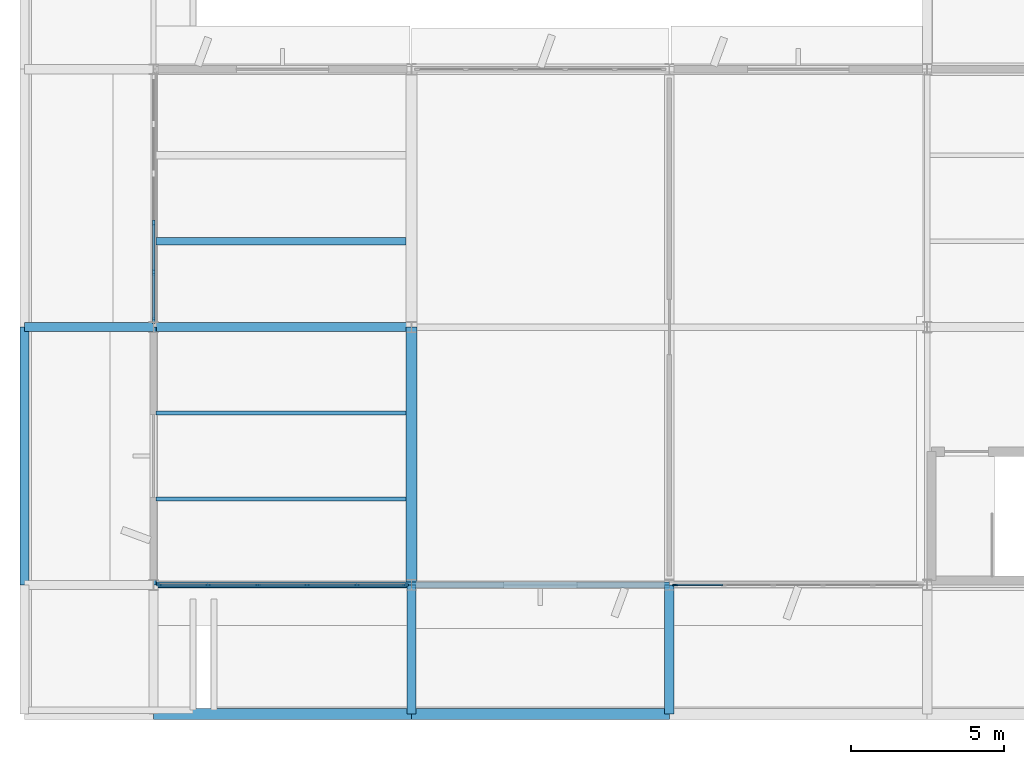
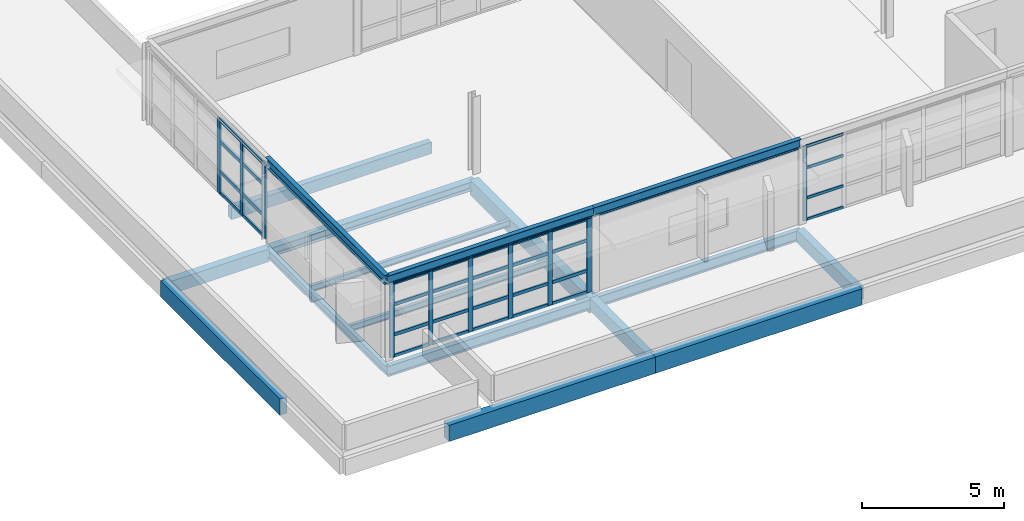
# One storey, part 4 of 92: 42 members, 17 beams, 3 elements without a shape of their own.
"""IFC4 building model written with IfcOpenShell, lengths in metres."""

from ifc_helpers import new_model, si_unit, direction, frame, origin, origin_2d, place, context, subcontext, project, spatial, rectangle, i_section, extrude, material, material_profile, profile_set, type_object, element, aggregate, save


model = new_model("IFC4")

# Units and contexts
model_context = context("Model", 3, precision=1e-05, world=origin(), true_north=direction((0.0, 1.0)))
body_context = subcontext(model_context, "Body", "Model", "MODEL_VIEW")
ifc_project = project(units=[si_unit("LENGTHUNIT", "METRE"), si_unit("AREAUNIT", "SQUARE_METRE"), si_unit("VOLUMEUNIT", "CUBIC_METRE"), si_unit("PLANEANGLEUNIT", "RADIAN"), si_unit("MASSUNIT", "GRAM", prefix="KILO")], contexts=[model_context])

# Site, building, storey
site_placement = place(None, origin())
site = spatial("IfcSite", under=ifc_project, at=site_placement, CompositionType="ELEMENT")
building_placement = place(site_placement, origin())
building = spatial("IfcBuilding", under=site, at=building_placement, Name="Vanh Quang Courtyard School", CompositionType="ELEMENT")
storey_placement = place(building_placement, frame((0.0, 0.0, 7.800048828125)))
storey = spatial("IfcBuildingStorey", under=building, at=storey_placement, Name="L02", CompositionType="ELEMENT", Elevation=7.800048828125)

# Beams
ifc_material_1 = material(Name="Concrete C35/45", Category="concrete")
ifc_material_profile_1 = material_profile(ifc_material_1, rectangle(XDim=0.300048828125, YDim=0.550048828125, at=origin_2d()), Name="RC-BM 300x550")
ifc_profile_set_1 = profile_set([ifc_material_profile_1], Name="Concrete C35/45")
beam_type_1 = type_object("IfcBeamType", Name="BM-RC-300x550", PredefinedType="BEAM", material=ifc_profile_set_1)
for number, where, z_axis, x_axis, name in (
    (1, (0.0, 12.60009765625, -0.554931640625), (1.0, 0.0, 0.0), (0.0, 1.0, 0.0), "Beam B-07 (L02)"),
    (2, (12.60009765625, 0.0, -0.554931640625), (0.0, 1.0, 0.0), (-1.0, 0.0, 0.0), "Beam B-07 (L02)"),
    (3, (21.0, 0.0, -0.554931640625), (0.0, 1.0, 0.0), (-1.0, 0.0, 0.0), "Beam B-07 (L02)"),
):
    element("IfcBeam", number, at=place(storey_placement, frame(where, z_axis=z_axis, x_axis=x_axis)), inside=storey, type_object=beam_type_1, Name=name, PredefinedType="BEAM", context=body_context, shape_type="SweptSolid", body=[
        extrude(rectangle(XDim=0.300048828125, YDim=0.550048828125, at=origin_2d()), origin(), (0.0, 0.0, 1.0), 4.199951171875),
    ])
ifc_material_profile_2 = material_profile(ifc_material_1, rectangle(XDim=0.35009765625, YDim=0.64990234375, at=origin_2d()), Name="RC-BM 350x650")
ifc_profile_set_2 = profile_set([ifc_material_profile_2], Name="Concrete C35/45")
beam_type_2 = type_object("IfcBeamType", Name="BM-RC-350x650", PredefinedType="BEAM", material=ifc_profile_set_2)
beam_1_placement = place(storey_placement, frame((12.60009765625, 4.199951171875, -0.60498046875), z_axis=(0.0, 1.0, 0.0), x_axis=(-1.0, 0.0, 0.0)))
element("IfcBeam", 4, at=beam_1_placement, inside=storey, type_object=beam_type_2, Name="Beam B-05 (L02)", PredefinedType="BEAM", context=body_context, shape_type="SweptSolid", body=[
    extrude(rectangle(XDim=0.35009765625, YDim=0.64990234375, at=origin_2d()), origin(), (0.0, 0.0, 1.0), 8.400146484375),
])
ifc_material_profile_3 = material_profile(ifc_material_1, rectangle(XDim=0.35009765625, YDim=0.699951171875, at=origin_2d()), Name="RC-BM 350x700")
ifc_profile_set_3 = profile_set([ifc_material_profile_3], Name="Concrete C35/45")
beam_type_3 = type_object("IfcBeamType", Name="BM-RC-350x700", PredefinedType="BEAM", material=ifc_profile_set_3)
beam_2_placement = place(storey_placement, frame((4.199951171875, 0.0, -0.570068359375), z_axis=(1.0, 0.0, 0.0), x_axis=(0.0, 1.0, 0.0)))
element("IfcBeam", 5, at=beam_2_placement, inside=storey, type_object=beam_type_3, Name="Beam B-04 (L02)", PredefinedType="BEAM", context=body_context, shape_type="SweptSolid", body=[
    extrude(rectangle(XDim=0.35009765625, YDim=0.699951171875, at=origin_2d()), origin(), (0.0, 0.0, 1.0), 8.400146484375),
])
beam_3_placement = place(storey_placement, frame((12.60009765625, 0.0, -0.570068359375), z_axis=(1.0, 0.0, 0.0), x_axis=(0.0, 1.0, 0.0)))
element("IfcBeam", 6, at=beam_3_placement, inside=storey, type_object=beam_type_3, Name="Beam B-04 (L02)", PredefinedType="BEAM", context=body_context, shape_type="SweptSolid", body=[
    extrude(rectangle(XDim=0.35009765625, YDim=0.699951171875, at=origin_2d()), origin(), (0.0, 0.0, 1.0), 8.39990234375),
])
ifc_material_profile_4 = material_profile(ifc_material_1, rectangle(XDim=0.300048828125, YDim=0.699951171875, at=origin_2d()), Name="RC-SP 300x700")
ifc_profile_set_4 = profile_set([ifc_material_profile_4], Name="Concrete C35/45")
beam_type_4 = type_object("IfcBeamType", Name="BM-SP-300x700", PredefinedType="SPANDREL", material=ifc_profile_set_4)
beam_4_placement = place(storey_placement, frame((0.0, 4.199951171875, -0.570068359375), z_axis=(0.0, 1.0, 0.0), x_axis=(-1.0, 0.0, 0.0)))
element("IfcBeam", 7, at=beam_4_placement, inside=storey, type_object=beam_type_4, Name="Beam BS-01 (L02)", PredefinedType="SPANDREL", context=body_context, shape_type="SweptSolid", body=[
    extrude(rectangle(XDim=0.300048828125, YDim=0.699951171875, at=origin_2d()), origin(), (0.0, 0.0, 1.0), 8.400146484375),
])
ifc_material_2 = material(Name="Structural steel EN 10025-2 S355J2", Category="steel")
ifc_material_profile_5 = material_profile(ifc_material_2, i_section(OverallWidth=0.300048828125, OverallDepth=0.389892578125, WebThickness=0.010986328125, FlangeThickness=0.01904296875, FilletRadius=0.027099609375, at=origin_2d()), Name="HEA 400")
ifc_profile_set_5 = profile_set([ifc_material_profile_5], Name="Structural steel EN 10025-2 S355J2")
beam_type_5 = type_object("IfcBeamType", Name="BM-STL-HEA400", PredefinedType="BEAM", material=ifc_profile_set_5)
beam_5_placement = place(storey_placement, frame((4.199951171875, 12.60009765625, -0.47509765625), z_axis=(1.0, 0.0, 0.0), x_axis=(0.0, 1.0, 0.0)))
element("IfcBeam", 8, at=beam_5_placement, inside=storey, type_object=beam_type_5, Name="Beam SB-08 (L02)", PredefinedType="BEAM", context=body_context, shape_type="SweptSolid", body=[
    extrude(i_section(OverallWidth=0.300048828125, OverallDepth=0.389892578125, WebThickness=0.010986328125, FlangeThickness=0.01904296875, FilletRadius=0.027099609375, at=origin_2d()), origin(), (0.0, 0.0, 1.0), 8.400146484375),
])
ifc_material_profile_6 = material_profile(ifc_material_2, i_section(OverallWidth=0.169921875, OverallDepth=0.360107421875, WebThickness=0.008056640625, FlangeThickness=0.0126953125, FilletRadius=0.01806640625, at=origin_2d()), Name="IPE 360")
ifc_profile_set_6 = profile_set([ifc_material_profile_6], Name="Structural steel EN 10025-2 S355J2")
beam_type_6 = type_object("IfcBeamType", Name="BM-STL-IPE360", PredefinedType="BEAM", material=ifc_profile_set_6)
beam_6_placement = place(storey_placement, frame((4.199951171875, 4.199951171875, -0.4599609375), z_axis=(0.0, 1.0, 0.0), x_axis=(-1.0, 0.0, 0.0)))
element("IfcBeam", 9, at=beam_6_placement, inside=storey, type_object=beam_type_6, Name="Beam SB-06 (L02)", PredefinedType="BEAM", context=body_context, shape_type="SweptSolid", body=[
    extrude(i_section(OverallWidth=0.169921875, OverallDepth=0.360107421875, WebThickness=0.008056640625, FlangeThickness=0.0126953125, FilletRadius=0.01806640625, at=origin_2d()), origin(), (0.0, 0.0, 1.0), 8.400146484375),
])
ifc_material_profile_7 = material_profile(ifc_material_2, i_section(OverallWidth=0.179931640625, OverallDepth=0.39990234375, WebThickness=0.008544921875, FlangeThickness=0.013427734375, FilletRadius=0.02099609375, at=origin_2d()), Name="IPE 400")
ifc_profile_set_7 = profile_set([ifc_material_profile_7], Name="Structural steel EN 10025-2 S355J2")
beam_type_7 = type_object("IfcBeamType", Name="BM-STL-IPE400", PredefinedType="BEAM", material=ifc_profile_set_7)
beam_7_placement = place(storey_placement, frame((4.199951171875, 4.199951171875, 3.39990234375), z_axis=(1.0, 0.0, 0.0), x_axis=(0.0, 1.0, 0.0)))
element("IfcBeam", 10, at=beam_7_placement, inside=storey, type_object=beam_type_7, Name="Beam SB-05 (L02)", PredefinedType="BEAM", context=body_context, shape_type="SweptSolid", body=[
    extrude(i_section(OverallWidth=0.179931640625, OverallDepth=0.39990234375, WebThickness=0.008544921875, FlangeThickness=0.013427734375, FilletRadius=0.02099609375, at=origin_2d()), origin(), (0.0, 0.0, 1.0), 8.400146484375),
])
beam_8_placement = place(storey_placement, frame((12.60009765625, 4.199951171875, 3.39990234375), z_axis=(1.0, 0.0, 0.0), x_axis=(0.0, 1.0, 0.0)))
element("IfcBeam", 11, at=beam_8_placement, inside=storey, type_object=beam_type_7, Name="Beam SB-05 (L02)", PredefinedType="BEAM", context=body_context, shape_type="SweptSolid", body=[
    extrude(i_section(OverallWidth=0.179931640625, OverallDepth=0.39990234375, WebThickness=0.008544921875, FlangeThickness=0.013427734375, FilletRadius=0.02099609375, at=origin_2d()), origin(), (0.0, 0.0, 1.0), 8.39990234375),
])
beam_9_placement = place(storey_placement, frame((4.199951171875, 4.199951171875, 3.39990234375), z_axis=(0.0, 1.0, 0.0), x_axis=(-1.0, 0.0, 0.0)))
element("IfcBeam", 12, at=beam_9_placement, inside=storey, type_object=beam_type_7, Name="Beam SB-05 (L02)", PredefinedType="BEAM", context=body_context, shape_type="SweptSolid", body=[
    extrude(i_section(OverallWidth=0.179931640625, OverallDepth=0.39990234375, WebThickness=0.008544921875, FlangeThickness=0.013427734375, FilletRadius=0.02099609375, at=origin_2d()), origin(), (0.0, 0.0, 1.0), 8.400146484375),
])
ifc_material_profile_8 = material_profile(ifc_material_2, i_section(OverallWidth=0.18994140625, OverallDepth=0.449951171875, WebThickness=0.009521484375, FlangeThickness=0.0146484375, FilletRadius=0.02099609375, at=origin_2d()), Name="IPE 450")
ifc_profile_set_8 = profile_set([ifc_material_profile_8], Name="Structural steel EN 10025-2 S355J2")
beam_type_8 = type_object("IfcBeamType", Name="BM-STL-IPE450", PredefinedType="BEAM", material=ifc_profile_set_8)
beam_10_placement = place(storey_placement, frame((4.199951171875, 4.199951171875, -0.505126953125), z_axis=(1.0, 0.0, 0.0), x_axis=(0.0, 1.0, 0.0)))
element("IfcBeam", 13, at=beam_10_placement, inside=storey, type_object=beam_type_8, Name="Beam SB-04 (L02)", PredefinedType="BEAM", context=body_context, shape_type="SweptSolid", body=[
    extrude(i_section(OverallWidth=0.18994140625, OverallDepth=0.449951171875, WebThickness=0.009521484375, FlangeThickness=0.0146484375, FilletRadius=0.02099609375, at=origin_2d()), origin(), (0.0, 0.0, 1.0), 8.400146484375),
])
beam_11_placement = place(storey_placement, frame((12.60009765625, 4.199951171875, -0.505126953125), z_axis=(1.0, 0.0, 0.0), x_axis=(0.0, 1.0, 0.0)))
element("IfcBeam", 14, at=beam_11_placement, inside=storey, type_object=beam_type_8, Name="Beam SB-04 (L02)", PredefinedType="BEAM", context=body_context, shape_type="SweptSolid", body=[
    extrude(i_section(OverallWidth=0.18994140625, OverallDepth=0.449951171875, WebThickness=0.009521484375, FlangeThickness=0.0146484375, FilletRadius=0.02099609375, at=origin_2d()), origin(), (0.0, 0.0, 1.0), 8.39990234375),
])

# Curtain wall, member
ifc_material_3 = material(Name="Thermally broken aluminium unitised curtain wall", Category="aluminium")
curtain_wall_type = type_object("IfcCurtainWallType", Name="CW-SYS-46", PredefinedType="NOTDEFINED", material=ifc_material_3)
curtain_wall_1_placement = place(storey_placement, origin())
curtain_wall_1 = element("IfcCurtainWall", 15, at=curtain_wall_1_placement, inside=storey, type_object=curtain_wall_type, Name="Curtain Wall CW-46 (L02)", PredefinedType="NOTDEFINED")
ifc_material_4 = material(Name="Anodised aluminium 6063-T6", Category="aluminium")
ifc_material_profile_9 = material_profile(ifc_material_4, rectangle(XDim=0.06005859375, YDim=0.159912109375, at=origin_2d()), Name="ALU-MUL 60x160")
ifc_profile_set_9 = profile_set([ifc_material_profile_9], Name="Anodised aluminium 6063-T6")
member_type_1 = type_object("IfcMemberType", Name="CW-MUL-60x160", PredefinedType="MULLION", material=ifc_profile_set_9)
member_1_placement = place(storey_placement, frame((21.18798828125, 4.199951171875, 0.0), z_axis=(0.0, 0.0, 1.0), x_axis=(0.0, -1.0, 0.0)))
member_1 = element("IfcMember", 16, at=member_1_placement, type_object=member_type_1, Name="CW-46 mullion 6", PredefinedType="MULLION", context=body_context, shape_type="SweptSolid", body=[
    extrude(rectangle(XDim=0.06005859375, YDim=0.159912109375, at=origin_2d()), origin(), (0.0, 0.0, 1.0), 3.199951171875),
])

# Curtain wall, members
curtain_wall_2_placement = place(storey_placement, origin())
curtain_wall_2 = element("IfcCurtainWall", 17, at=curtain_wall_2_placement, inside=storey, type_object=curtain_wall_type, Name="Curtain Wall CW-46 (L02)", PredefinedType="NOTDEFINED")
ifc_material_profile_10 = material_profile(ifc_material_4, rectangle(XDim=0.070068359375, YDim=0.179931640625, at=origin_2d()), Name="ALU-MUL 70x180")
ifc_profile_set_10 = profile_set([ifc_material_profile_10], Name="Anodised aluminium 6063-T6")
member_type_2 = type_object("IfcMemberType", Name="CW-MUL-70x180", PredefinedType="MULLION", material=ifc_profile_set_10)
member_2_placement = place(storey_placement, frame((12.406982421875, 4.199951171875, 0.0), z_axis=(0.0, 0.0, 1.0), x_axis=(0.0, -1.0, 0.0)))
member_2 = element("IfcMember", 18, at=member_2_placement, type_object=member_type_2, Name="CW-46 mullion 1", PredefinedType="MULLION", context=body_context, shape_type="SweptSolid", body=[
    extrude(rectangle(XDim=0.070068359375, YDim=0.179931640625, at=origin_2d()), origin(), (0.0, 0.0, 1.0), 3.199951171875),
])
member_3_placement = place(storey_placement, frame((10.8251953125, 4.199951171875, 0.0), z_axis=(0.0, 0.0, 1.0), x_axis=(0.0, -1.0, 0.0)))
member_3 = element("IfcMember", 19, at=member_3_placement, type_object=member_type_2, Name="CW-46 mullion 2", PredefinedType="MULLION", context=body_context, shape_type="SweptSolid", body=[
    extrude(rectangle(XDim=0.070068359375, YDim=0.179931640625, at=origin_2d()), origin(), (0.0, 0.0, 1.0), 3.199951171875),
])
member_4_placement = place(storey_placement, frame((9.20849609375, 4.199951171875, 0.0), z_axis=(0.0, 0.0, 1.0), x_axis=(0.0, -1.0, 0.0)))
member_4 = element("IfcMember", 20, at=member_4_placement, type_object=member_type_2, Name="CW-46 mullion 3", PredefinedType="MULLION", context=body_context, shape_type="SweptSolid", body=[
    extrude(rectangle(XDim=0.070068359375, YDim=0.179931640625, at=origin_2d()), origin(), (0.0, 0.0, 1.0), 3.199951171875),
])
member_5_placement = place(storey_placement, frame((7.591552734375, 4.199951171875, 0.0), z_axis=(0.0, 0.0, 1.0), x_axis=(0.0, -1.0, 0.0)))
member_5 = element("IfcMember", 21, at=member_5_placement, type_object=member_type_2, Name="CW-46 mullion 4", PredefinedType="MULLION", context=body_context, shape_type="SweptSolid", body=[
    extrude(rectangle(XDim=0.070068359375, YDim=0.179931640625, at=origin_2d()), origin(), (0.0, 0.0, 1.0), 3.199951171875),
])
member_6_placement = place(storey_placement, frame((5.974853515625, 4.199951171875, 0.0), z_axis=(0.0, 0.0, 1.0), x_axis=(0.0, -1.0, 0.0)))
member_6 = element("IfcMember", 22, at=member_6_placement, type_object=member_type_2, Name="CW-46 mullion 5", PredefinedType="MULLION", context=body_context, shape_type="SweptSolid", body=[
    extrude(rectangle(XDim=0.070068359375, YDim=0.179931640625, at=origin_2d()), origin(), (0.0, 0.0, 1.0), 3.199951171875),
])
member_7_placement = place(storey_placement, frame((4.39306640625, 4.199951171875, 0.0), z_axis=(0.0, 0.0, 1.0), x_axis=(0.0, -1.0, 0.0)))
member_7 = element("IfcMember", 23, at=member_7_placement, type_object=member_type_2, Name="CW-46 mullion 6", PredefinedType="MULLION", context=body_context, shape_type="SweptSolid", body=[
    extrude(rectangle(XDim=0.070068359375, YDim=0.179931640625, at=origin_2d()), origin(), (0.0, 0.0, 1.0), 3.199951171875),
])

curtain_wall_3_placement = place(storey_placement, origin())
curtain_wall_3 = element("IfcCurtainWall", 24, at=curtain_wall_3_placement, inside=storey, type_object=curtain_wall_type, Name="Curtain Wall CW-46 (L02)", PredefinedType="NOTDEFINED")
ifc_material_profile_11 = material_profile(ifc_material_4, rectangle(XDim=0.080078125, YDim=0.199951171875, at=origin_2d()), Name="ALU-MUL 80x200")
ifc_profile_set_11 = profile_set([ifc_material_profile_11], Name="Anodised aluminium 6063-T6")
member_type_3 = type_object("IfcMemberType", Name="CW-MUL-80x200", PredefinedType="MULLION", material=ifc_profile_set_11)
member_8_placement = place(storey_placement, frame((4.199951171875, 12.81298828125, 0.0), z_axis=(0.0, 0.0, 1.0), x_axis=(-1.0, 0.0, 0.0)))
member_8 = element("IfcMember", 25, at=member_8_placement, type_object=member_type_3, Name="CW-46 mullion 1", PredefinedType="MULLION", context=body_context, shape_type="SweptSolid", body=[
    extrude(rectangle(XDim=0.080078125, YDim=0.199951171875, at=origin_2d()), origin(), (0.0, 0.0, 1.0), 3.199951171875),
])
member_9_placement = place(storey_placement, frame((4.199951171875, 14.3837890625, 0.0), z_axis=(0.0, 0.0, 1.0), x_axis=(-1.0, 0.0, 0.0)))
member_9 = element("IfcMember", 26, at=member_9_placement, type_object=member_type_3, Name="CW-46 mullion 2", PredefinedType="MULLION", context=body_context, shape_type="SweptSolid", body=[
    extrude(rectangle(XDim=0.080078125, YDim=0.199951171875, at=origin_2d()), origin(), (0.0, 0.0, 1.0), 3.199951171875),
])
member_10_placement = place(storey_placement, frame((4.199951171875, 15.99462890625, 0.0), z_axis=(0.0, 0.0, 1.0), x_axis=(-1.0, 0.0, 0.0)))
member_10 = element("IfcMember", 27, at=member_10_placement, type_object=member_type_3, Name="CW-46 mullion 3", PredefinedType="MULLION", context=body_context, shape_type="SweptSolid", body=[
    extrude(rectangle(XDim=0.080078125, YDim=0.199951171875, at=origin_2d()), origin(), (0.0, 0.0, 1.0), 3.199951171875),
])

# Member
ifc_material_profile_12 = material_profile(ifc_material_4, rectangle(XDim=0.06005859375, YDim=0.1201171875, at=origin_2d()), Name="ALU-TRN 60x120")
ifc_profile_set_12 = profile_set([ifc_material_profile_12], Name="Anodised aluminium 6063-T6")
member_type_4 = type_object("IfcMemberType", Name="CW-TRN-60x120", PredefinedType="USERDEFINED", material=ifc_profile_set_12)
member_11_placement = place(storey_placement, frame((22.744873046875, 4.199951171875, 0.030029296875), z_axis=(-1.0, 0.0, 0.0), x_axis=(0.0, -1.0, 0.0)))
member_11 = element("IfcMember", 28, at=member_11_placement, type_object=member_type_4, Name="CW-46 transom 5.1", ObjectType="TRANSOM", PredefinedType="USERDEFINED", context=body_context, shape_type="SweptSolid", body=[
    extrude(rectangle(XDim=0.06005859375, YDim=0.1201171875, at=origin_2d()), origin(), (0.0, 0.0, 1.0), 1.52685546875),
])

member_12_placement = place(storey_placement, frame((22.744873046875, 4.199951171875, 0.949951171875), z_axis=(-1.0, 0.0, 0.0), x_axis=(0.0, -1.0, 0.0)))
member_12 = element("IfcMember", 29, at=member_12_placement, type_object=member_type_4, Name="CW-46 transom 5.2", ObjectType="TRANSOM", PredefinedType="USERDEFINED", context=body_context, shape_type="SweptSolid", body=[
    extrude(rectangle(XDim=0.06005859375, YDim=0.1201171875, at=origin_2d()), origin(), (0.0, 0.0, 1.0), 1.52685546875),
])

member_13_placement = place(storey_placement, frame((22.744873046875, 4.199951171875, 2.25), z_axis=(-1.0, 0.0, 0.0), x_axis=(0.0, -1.0, 0.0)))
member_13 = element("IfcMember", 30, at=member_13_placement, type_object=member_type_4, Name="CW-46 transom 5.3", ObjectType="TRANSOM", PredefinedType="USERDEFINED", context=body_context, shape_type="SweptSolid", body=[
    extrude(rectangle(XDim=0.06005859375, YDim=0.1201171875, at=origin_2d()), origin(), (0.0, 0.0, 1.0), 1.52685546875),
])

member_14_placement = place(storey_placement, frame((22.744873046875, 4.199951171875, 3.169921875), z_axis=(-1.0, 0.0, 0.0), x_axis=(0.0, -1.0, 0.0)))
member_14 = element("IfcMember", 31, at=member_14_placement, type_object=member_type_4, Name="CW-46 transom 5.4", ObjectType="TRANSOM", PredefinedType="USERDEFINED", context=body_context, shape_type="SweptSolid", body=[
    extrude(rectangle(XDim=0.06005859375, YDim=0.1201171875, at=origin_2d()), origin(), (0.0, 0.0, 1.0), 1.52685546875),
])

aggregate(curtain_wall_1, [member_1, member_11, member_12, member_13, member_14])

ifc_material_profile_13 = material_profile(ifc_material_4, rectangle(XDim=0.070068359375, YDim=0.139892578125, at=origin_2d()), Name="ALU-TRN 70x140")
ifc_profile_set_13 = profile_set([ifc_material_profile_13], Name="Anodised aluminium 6063-T6")
member_type_5 = type_object("IfcMemberType", Name="CW-TRN-70x140", PredefinedType="USERDEFINED", material=ifc_profile_set_13)
member_15_placement = place(storey_placement, frame((12.3720703125, 4.199951171875, 0.034912109375), z_axis=(-1.0, 0.0, 0.0), x_axis=(0.0, -1.0, 0.0)))
member_15 = element("IfcMember", 32, at=member_15_placement, type_object=member_type_5, Name="CW-46 transom 1.1", ObjectType="TRANSOM", PredefinedType="USERDEFINED", context=body_context, shape_type="SweptSolid", body=[
    extrude(rectangle(XDim=0.070068359375, YDim=0.139892578125, at=origin_2d()), origin(), (0.0, 0.0, 1.0), 1.511962890625),
])

member_16_placement = place(storey_placement, frame((12.3720703125, 4.199951171875, 0.949951171875), z_axis=(-1.0, 0.0, 0.0), x_axis=(0.0, -1.0, 0.0)))
member_16 = element("IfcMember", 33, at=member_16_placement, type_object=member_type_5, Name="CW-46 transom 1.2", ObjectType="TRANSOM", PredefinedType="USERDEFINED", context=body_context, shape_type="SweptSolid", body=[
    extrude(rectangle(XDim=0.070068359375, YDim=0.139892578125, at=origin_2d()), origin(), (0.0, 0.0, 1.0), 1.511962890625),
])

member_17_placement = place(storey_placement, frame((12.3720703125, 4.199951171875, 2.25), z_axis=(-1.0, 0.0, 0.0), x_axis=(0.0, -1.0, 0.0)))
member_17 = element("IfcMember", 34, at=member_17_placement, type_object=member_type_5, Name="CW-46 transom 1.3", ObjectType="TRANSOM", PredefinedType="USERDEFINED", context=body_context, shape_type="SweptSolid", body=[
    extrude(rectangle(XDim=0.070068359375, YDim=0.139892578125, at=origin_2d()), origin(), (0.0, 0.0, 1.0), 1.511962890625),
])

member_18_placement = place(storey_placement, frame((12.3720703125, 4.199951171875, 3.1650390625), z_axis=(-1.0, 0.0, 0.0), x_axis=(0.0, -1.0, 0.0)))
member_18 = element("IfcMember", 35, at=member_18_placement, type_object=member_type_5, Name="CW-46 transom 1.4", ObjectType="TRANSOM", PredefinedType="USERDEFINED", context=body_context, shape_type="SweptSolid", body=[
    extrude(rectangle(XDim=0.070068359375, YDim=0.139892578125, at=origin_2d()), origin(), (0.0, 0.0, 1.0), 1.511962890625),
])

member_19_placement = place(storey_placement, frame((10.790283203125, 4.199951171875, 0.034912109375), z_axis=(-1.0, 0.0, 0.0), x_axis=(0.0, -1.0, 0.0)))
member_19 = element("IfcMember", 36, at=member_19_placement, type_object=member_type_5, Name="CW-46 transom 2.1", ObjectType="TRANSOM", PredefinedType="USERDEFINED", context=body_context, shape_type="SweptSolid", body=[
    extrude(rectangle(XDim=0.070068359375, YDim=0.139892578125, at=origin_2d()), origin(), (0.0, 0.0, 1.0), 1.546875),
])

member_20_placement = place(storey_placement, frame((10.790283203125, 4.199951171875, 0.949951171875), z_axis=(-1.0, 0.0, 0.0), x_axis=(0.0, -1.0, 0.0)))
member_20 = element("IfcMember", 37, at=member_20_placement, type_object=member_type_5, Name="CW-46 transom 2.2", ObjectType="TRANSOM", PredefinedType="USERDEFINED", context=body_context, shape_type="SweptSolid", body=[
    extrude(rectangle(XDim=0.070068359375, YDim=0.139892578125, at=origin_2d()), origin(), (0.0, 0.0, 1.0), 1.546875),
])

member_21_placement = place(storey_placement, frame((10.790283203125, 4.199951171875, 2.25), z_axis=(-1.0, 0.0, 0.0), x_axis=(0.0, -1.0, 0.0)))
member_21 = element("IfcMember", 38, at=member_21_placement, type_object=member_type_5, Name="CW-46 transom 2.3", ObjectType="TRANSOM", PredefinedType="USERDEFINED", context=body_context, shape_type="SweptSolid", body=[
    extrude(rectangle(XDim=0.070068359375, YDim=0.139892578125, at=origin_2d()), origin(), (0.0, 0.0, 1.0), 1.546875),
])

member_22_placement = place(storey_placement, frame((10.790283203125, 4.199951171875, 3.1650390625), z_axis=(-1.0, 0.0, 0.0), x_axis=(0.0, -1.0, 0.0)))
member_22 = element("IfcMember", 39, at=member_22_placement, type_object=member_type_5, Name="CW-46 transom 2.4", ObjectType="TRANSOM", PredefinedType="USERDEFINED", context=body_context, shape_type="SweptSolid", body=[
    extrude(rectangle(XDim=0.070068359375, YDim=0.139892578125, at=origin_2d()), origin(), (0.0, 0.0, 1.0), 1.546875),
])

member_23_placement = place(storey_placement, frame((9.17333984375, 4.199951171875, 0.034912109375), z_axis=(-1.0, 0.0, 0.0), x_axis=(0.0, -1.0, 0.0)))
member_23 = element("IfcMember", 40, at=member_23_placement, type_object=member_type_5, Name="CW-46 transom 3.1", ObjectType="TRANSOM", PredefinedType="USERDEFINED", context=body_context, shape_type="SweptSolid", body=[
    extrude(rectangle(XDim=0.070068359375, YDim=0.139892578125, at=origin_2d()), origin(), (0.0, 0.0, 1.0), 1.546630859375),
])

member_24_placement = place(storey_placement, frame((9.17333984375, 4.199951171875, 0.949951171875), z_axis=(-1.0, 0.0, 0.0), x_axis=(0.0, -1.0, 0.0)))
member_24 = element("IfcMember", 41, at=member_24_placement, type_object=member_type_5, Name="CW-46 transom 3.2", ObjectType="TRANSOM", PredefinedType="USERDEFINED", context=body_context, shape_type="SweptSolid", body=[
    extrude(rectangle(XDim=0.070068359375, YDim=0.139892578125, at=origin_2d()), origin(), (0.0, 0.0, 1.0), 1.546630859375),
])

member_25_placement = place(storey_placement, frame((9.17333984375, 4.199951171875, 2.25), z_axis=(-1.0, 0.0, 0.0), x_axis=(0.0, -1.0, 0.0)))
member_25 = element("IfcMember", 42, at=member_25_placement, type_object=member_type_5, Name="CW-46 transom 3.3", ObjectType="TRANSOM", PredefinedType="USERDEFINED", context=body_context, shape_type="SweptSolid", body=[
    extrude(rectangle(XDim=0.070068359375, YDim=0.139892578125, at=origin_2d()), origin(), (0.0, 0.0, 1.0), 1.546630859375),
])

member_26_placement = place(storey_placement, frame((9.17333984375, 4.199951171875, 3.1650390625), z_axis=(-1.0, 0.0, 0.0), x_axis=(0.0, -1.0, 0.0)))
member_26 = element("IfcMember", 43, at=member_26_placement, type_object=member_type_5, Name="CW-46 transom 3.4", ObjectType="TRANSOM", PredefinedType="USERDEFINED", context=body_context, shape_type="SweptSolid", body=[
    extrude(rectangle(XDim=0.070068359375, YDim=0.139892578125, at=origin_2d()), origin(), (0.0, 0.0, 1.0), 1.546630859375),
])

member_27_placement = place(storey_placement, frame((7.556640625, 4.199951171875, 0.034912109375), z_axis=(-1.0, 0.0, 0.0), x_axis=(0.0, -1.0, 0.0)))
member_27 = element("IfcMember", 44, at=member_27_placement, type_object=member_type_5, Name="CW-46 transom 4.1", ObjectType="TRANSOM", PredefinedType="USERDEFINED", context=body_context, shape_type="SweptSolid", body=[
    extrude(rectangle(XDim=0.070068359375, YDim=0.139892578125, at=origin_2d()), origin(), (0.0, 0.0, 1.0), 1.546875),
])

member_28_placement = place(storey_placement, frame((7.556640625, 4.199951171875, 0.949951171875), z_axis=(-1.0, 0.0, 0.0), x_axis=(0.0, -1.0, 0.0)))
member_28 = element("IfcMember", 45, at=member_28_placement, type_object=member_type_5, Name="CW-46 transom 4.2", ObjectType="TRANSOM", PredefinedType="USERDEFINED", context=body_context, shape_type="SweptSolid", body=[
    extrude(rectangle(XDim=0.070068359375, YDim=0.139892578125, at=origin_2d()), origin(), (0.0, 0.0, 1.0), 1.546875),
])

member_29_placement = place(storey_placement, frame((7.556640625, 4.199951171875, 2.25), z_axis=(-1.0, 0.0, 0.0), x_axis=(0.0, -1.0, 0.0)))
member_29 = element("IfcMember", 46, at=member_29_placement, type_object=member_type_5, Name="CW-46 transom 4.3", ObjectType="TRANSOM", PredefinedType="USERDEFINED", context=body_context, shape_type="SweptSolid", body=[
    extrude(rectangle(XDim=0.070068359375, YDim=0.139892578125, at=origin_2d()), origin(), (0.0, 0.0, 1.0), 1.546875),
])

member_30_placement = place(storey_placement, frame((7.556640625, 4.199951171875, 3.1650390625), z_axis=(-1.0, 0.0, 0.0), x_axis=(0.0, -1.0, 0.0)))
member_30 = element("IfcMember", 47, at=member_30_placement, type_object=member_type_5, Name="CW-46 transom 4.4", ObjectType="TRANSOM", PredefinedType="USERDEFINED", context=body_context, shape_type="SweptSolid", body=[
    extrude(rectangle(XDim=0.070068359375, YDim=0.139892578125, at=origin_2d()), origin(), (0.0, 0.0, 1.0), 1.546875),
])

member_31_placement = place(storey_placement, frame((5.939697265625, 4.199951171875, 0.034912109375), z_axis=(-1.0, 0.0, 0.0), x_axis=(0.0, -1.0, 0.0)))
member_31 = element("IfcMember", 48, at=member_31_placement, type_object=member_type_5, Name="CW-46 transom 5.1", ObjectType="TRANSOM", PredefinedType="USERDEFINED", context=body_context, shape_type="SweptSolid", body=[
    extrude(rectangle(XDim=0.070068359375, YDim=0.139892578125, at=origin_2d()), origin(), (0.0, 0.0, 1.0), 1.51171875),
])

member_32_placement = place(storey_placement, frame((5.939697265625, 4.199951171875, 0.949951171875), z_axis=(-1.0, 0.0, 0.0), x_axis=(0.0, -1.0, 0.0)))
member_32 = element("IfcMember", 49, at=member_32_placement, type_object=member_type_5, Name="CW-46 transom 5.2", ObjectType="TRANSOM", PredefinedType="USERDEFINED", context=body_context, shape_type="SweptSolid", body=[
    extrude(rectangle(XDim=0.070068359375, YDim=0.139892578125, at=origin_2d()), origin(), (0.0, 0.0, 1.0), 1.51171875),
])

member_33_placement = place(storey_placement, frame((5.939697265625, 4.199951171875, 2.25), z_axis=(-1.0, 0.0, 0.0), x_axis=(0.0, -1.0, 0.0)))
member_33 = element("IfcMember", 50, at=member_33_placement, type_object=member_type_5, Name="CW-46 transom 5.3", ObjectType="TRANSOM", PredefinedType="USERDEFINED", context=body_context, shape_type="SweptSolid", body=[
    extrude(rectangle(XDim=0.070068359375, YDim=0.139892578125, at=origin_2d()), origin(), (0.0, 0.0, 1.0), 1.51171875),
])

member_34_placement = place(storey_placement, frame((5.939697265625, 4.199951171875, 3.1650390625), z_axis=(-1.0, 0.0, 0.0), x_axis=(0.0, -1.0, 0.0)))
member_34 = element("IfcMember", 51, at=member_34_placement, type_object=member_type_5, Name="CW-46 transom 5.4", ObjectType="TRANSOM", PredefinedType="USERDEFINED", context=body_context, shape_type="SweptSolid", body=[
    extrude(rectangle(XDim=0.070068359375, YDim=0.139892578125, at=origin_2d()), origin(), (0.0, 0.0, 1.0), 1.51171875),
])

aggregate(curtain_wall_2, [member_2, member_3, member_4, member_5, member_6, member_7, member_15, member_16, member_17, member_18, member_19, member_20, member_21, member_22, member_23, member_24, member_25, member_26, member_27, member_28, member_29, member_30, member_31, member_32, member_33, member_34])

ifc_material_profile_14 = material_profile(ifc_material_4, rectangle(XDim=0.080078125, YDim=0.14990234375, at=origin_2d()), Name="ALU-TRN 80x150")
ifc_profile_set_14 = profile_set([ifc_material_profile_14], Name="Anodised aluminium 6063-T6")
member_type_6 = type_object("IfcMemberType", Name="CW-TRN-80x150", PredefinedType="USERDEFINED", material=ifc_profile_set_14)
member_35_placement = place(storey_placement, frame((4.199951171875, 12.85302734375, 0.0400390625), z_axis=(0.0, 1.0, 0.0), x_axis=(-1.0, 0.0, 0.0)))
member_35 = element("IfcMember", 52, at=member_35_placement, type_object=member_type_6, Name="CW-46 transom 1.1", ObjectType="TRANSOM", PredefinedType="USERDEFINED", context=body_context, shape_type="SweptSolid", body=[
    extrude(rectangle(XDim=0.080078125, YDim=0.14990234375, at=origin_2d()), origin(), (0.0, 0.0, 1.0), 1.49072265625),
])

member_36_placement = place(storey_placement, frame((4.199951171875, 12.85302734375, 0.949951171875), z_axis=(0.0, 1.0, 0.0), x_axis=(-1.0, 0.0, 0.0)))
member_36 = element("IfcMember", 53, at=member_36_placement, type_object=member_type_6, Name="CW-46 transom 1.2", ObjectType="TRANSOM", PredefinedType="USERDEFINED", context=body_context, shape_type="SweptSolid", body=[
    extrude(rectangle(XDim=0.080078125, YDim=0.14990234375, at=origin_2d()), origin(), (0.0, 0.0, 1.0), 1.49072265625),
])

member_37_placement = place(storey_placement, frame((4.199951171875, 12.85302734375, 2.25), z_axis=(0.0, 1.0, 0.0), x_axis=(-1.0, 0.0, 0.0)))
member_37 = element("IfcMember", 54, at=member_37_placement, type_object=member_type_6, Name="CW-46 transom 1.3", ObjectType="TRANSOM", PredefinedType="USERDEFINED", context=body_context, shape_type="SweptSolid", body=[
    extrude(rectangle(XDim=0.080078125, YDim=0.14990234375, at=origin_2d()), origin(), (0.0, 0.0, 1.0), 1.49072265625),
])

member_38_placement = place(storey_placement, frame((4.199951171875, 12.85302734375, 3.159912109375), z_axis=(0.0, 1.0, 0.0), x_axis=(-1.0, 0.0, 0.0)))
member_38 = element("IfcMember", 55, at=member_38_placement, type_object=member_type_6, Name="CW-46 transom 1.4", ObjectType="TRANSOM", PredefinedType="USERDEFINED", context=body_context, shape_type="SweptSolid", body=[
    extrude(rectangle(XDim=0.080078125, YDim=0.14990234375, at=origin_2d()), origin(), (0.0, 0.0, 1.0), 1.49072265625),
])

member_39_placement = place(storey_placement, frame((4.199951171875, 14.423828125, 0.0400390625), z_axis=(0.0, 1.0, 0.0), x_axis=(-1.0, 0.0, 0.0)))
member_39 = element("IfcMember", 56, at=member_39_placement, type_object=member_type_6, Name="CW-46 transom 2.1", ObjectType="TRANSOM", PredefinedType="USERDEFINED", context=body_context, shape_type="SweptSolid", body=[
    extrude(rectangle(XDim=0.080078125, YDim=0.14990234375, at=origin_2d()), origin(), (0.0, 0.0, 1.0), 1.53076171875),
])

member_40_placement = place(storey_placement, frame((4.199951171875, 14.423828125, 0.949951171875), z_axis=(0.0, 1.0, 0.0), x_axis=(-1.0, 0.0, 0.0)))
member_40 = element("IfcMember", 57, at=member_40_placement, type_object=member_type_6, Name="CW-46 transom 2.2", ObjectType="TRANSOM", PredefinedType="USERDEFINED", context=body_context, shape_type="SweptSolid", body=[
    extrude(rectangle(XDim=0.080078125, YDim=0.14990234375, at=origin_2d()), origin(), (0.0, 0.0, 1.0), 1.53076171875),
])

member_41_placement = place(storey_placement, frame((4.199951171875, 14.423828125, 2.25), z_axis=(0.0, 1.0, 0.0), x_axis=(-1.0, 0.0, 0.0)))
member_41 = element("IfcMember", 58, at=member_41_placement, type_object=member_type_6, Name="CW-46 transom 2.3", ObjectType="TRANSOM", PredefinedType="USERDEFINED", context=body_context, shape_type="SweptSolid", body=[
    extrude(rectangle(XDim=0.080078125, YDim=0.14990234375, at=origin_2d()), origin(), (0.0, 0.0, 1.0), 1.53076171875),
])

member_42_placement = place(storey_placement, frame((4.199951171875, 14.423828125, 3.159912109375), z_axis=(0.0, 1.0, 0.0), x_axis=(-1.0, 0.0, 0.0)))
member_42 = element("IfcMember", 59, at=member_42_placement, type_object=member_type_6, Name="CW-46 transom 2.4", ObjectType="TRANSOM", PredefinedType="USERDEFINED", context=body_context, shape_type="SweptSolid", body=[
    extrude(rectangle(XDim=0.080078125, YDim=0.14990234375, at=origin_2d()), origin(), (0.0, 0.0, 1.0), 1.53076171875),
])

aggregate(curtain_wall_3, [member_8, member_9, member_10, member_35, member_36, member_37, member_38, member_39, member_40, member_41, member_42])

# Beams
ifc_material_5 = material(Name="Concrete C30/37", Category="concrete")
ifc_material_profile_15 = material_profile(ifc_material_5, rectangle(XDim=0.25, YDim=0.5, at=origin_2d()), Name="RC-JST 250x500")
ifc_profile_set_15 = profile_set([ifc_material_profile_15], Name="Concrete C30/37")
beam_type_9 = type_object("IfcBeamType", Name="JST-RC-250x500", PredefinedType="JOIST", material=ifc_profile_set_15)
beam_12_placement = place(storey_placement, frame((4.284912109375, 15.39990234375, -0.530029296875), z_axis=(1.0, 0.0, 0.0), x_axis=(0.0, 1.0, 0.0)))
element("IfcBeam", 60, at=beam_12_placement, inside=storey, type_object=beam_type_9, Name="Beam BJ-01 (L02)", PredefinedType="JOIST", context=body_context, shape_type="SweptSolid", body=[
    extrude(rectangle(XDim=0.25, YDim=0.5, at=origin_2d()), origin(), (0.0, 0.0, 1.0), 8.14013671875),
])
ifc_material_profile_16 = material_profile(ifc_material_2, i_section(OverallWidth=0.135009765625, OverallDepth=0.27001953125, WebThickness=0.006591796875, FlangeThickness=0.01025390625, FilletRadius=0.014892578125, at=origin_2d()), Name="IPE 270")
ifc_profile_set_16 = profile_set([ifc_material_profile_16], Name="Structural steel EN 10025-2 S355J2")
beam_type_10 = type_object("IfcBeamType", Name="JST-STL-IPE270", PredefinedType="JOIST", material=ifc_profile_set_16)
for number, where, z_axis, x_axis, name in (
    (61, (4.284912109375, 7.0, -0.4150390625), (1.0, 0.0, 0.0), (0.0, 1.0, 0.0), "Beam SJ-03 (L02)"),
    (62, (4.284912109375, 9.800048828125, -0.4150390625), (1.0, 0.0, 0.0), (0.0, 1.0, 0.0), "Beam SJ-03 (L02)"),
):
    element("IfcBeam", number, at=place(storey_placement, frame(where, z_axis=z_axis, x_axis=x_axis)), inside=storey, type_object=beam_type_10, Name=name, PredefinedType="JOIST", context=body_context, shape_type="SweptSolid", body=[
        extrude(i_section(OverallWidth=0.135009765625, OverallDepth=0.27001953125, WebThickness=0.006591796875, FlangeThickness=0.01025390625, FilletRadius=0.014892578125, at=origin_2d()), origin(), (0.0, 0.0, 1.0), 8.14013671875),
    ])

save(model, "model.ifc")
